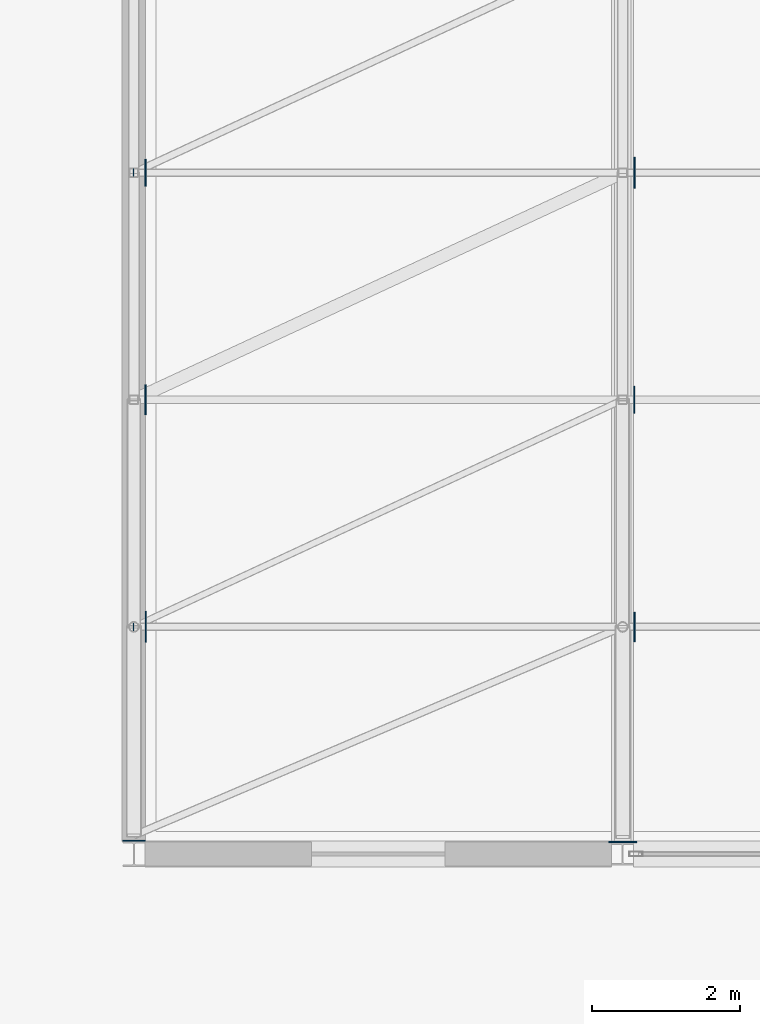
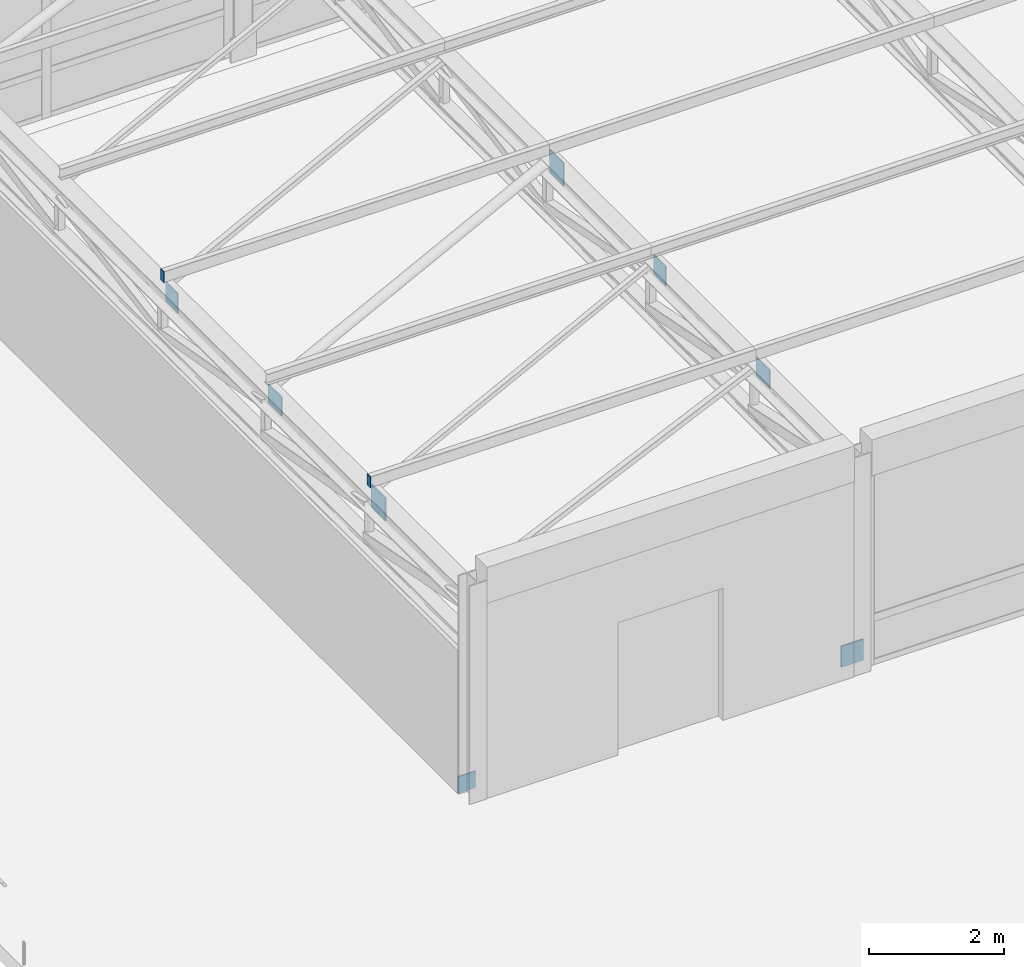
# One storey, part 54 of 92: 10 plates.
"""IFC4 building model written with IfcOpenShell, lengths in metres."""

from ifc_helpers import new_model, si_unit, direction, frame, origin, origin_2d, place, context, subcontext, project, spatial, rectangle, extrude, material, layer, layer_set, type_object, element, save


model = new_model("IFC4")

# Units and contexts
model_context = context("Model", 3, precision=1e-05, world=origin(), true_north=direction((0.0, 1.0)))
body_context = subcontext(model_context, "Body", "Model", "MODEL_VIEW")
ifc_project = project(units=[si_unit("LENGTHUNIT", "METRE"), si_unit("AREAUNIT", "SQUARE_METRE"), si_unit("VOLUMEUNIT", "CUBIC_METRE"), si_unit("PLANEANGLEUNIT", "RADIAN"), si_unit("MASSUNIT", "GRAM", prefix="KILO")], contexts=[model_context])

# Site, building, storey
site_placement = place(None, origin())
site = spatial("IfcSite", under=ifc_project, at=site_placement, CompositionType="ELEMENT")
building_placement = place(site_placement, origin())
building = spatial("IfcBuilding", under=site, at=building_placement, Name="Kernevlak Ridge Housing Community", CompositionType="ELEMENT")
storey_placement = place(building_placement, frame((0.0, 0.0, 4.199951171875)))
storey = spatial("IfcBuildingStorey", under=building, at=storey_placement, Name="L01", CompositionType="ELEMENT", Elevation=4.199951171875)

# Plates
ifc_material = material(Name="Steel S355", Category="steel")
ifc_layer_1 = layer(ifc_material, 0.010009765625, Name="Steel S355")
ifc_layer_set_1 = layer_set([ifc_layer_1], Name="Steel S355")
plate_type_1 = type_object("IfcPlateType", Name="EP-01", PredefinedType="USERDEFINED", material=ifc_layer_set_1)
for number, where, z_axis, x_axis, name in (
    (1, (64.195068359375, 52.86669921875, 3.76025390625), (0.0, 0.0, 1.0), (1.0, 0.0, 0.0), "Community Hall purlin end cap plate 1.2"),
    (2, (64.195068359375, 59.0, 3.76025390625), (0.0, 0.0, 1.0), (1.0, 0.0, 0.0), "Community Hall purlin end cap plate 1.4"),
):
    element("IfcPlate", number, at=place(storey_placement, frame(where, z_axis=z_axis, x_axis=x_axis)), inside=storey, type_object=plate_type_1, Name=name, ObjectType="STIFFENER_PLATE", PredefinedType="USERDEFINED", context=body_context, shape_type="SweptSolid", body=[
        extrude(rectangle(XDim=0.010009765625, YDim=0.10009765625, at=origin_2d()), origin(), (0.0, 0.0, 1.0), 0.199951171875),
    ])
ifc_layer_2 = layer(ifc_material, 0.01611328125, Name="Steel S355")
ifc_layer_set_2 = layer_set([ifc_layer_2], Name="Steel S355")
plate_type_2 = type_object("IfcPlateType", Name="GP-01", PredefinedType="USERDEFINED", material=ifc_layer_set_2)
for number, where, z_axis, x_axis, name in (
    (3, (64.35791015625, 59.0, 3.22998046875), (0.0, 0.0, 1.0), (1.0, 0.0, 0.0), "Roof truss 1 node gusset plate 3"),
    (4, (70.9580078125, 55.933349609375, 3.27001953125), (0.0, 0.0, 1.0), (1.0, 0.0, 0.0), "Roof truss 2 node gusset plate 2"),
):
    element("IfcPlate", number, at=place(storey_placement, frame(where, z_axis=z_axis, x_axis=x_axis)), inside=storey, type_object=plate_type_2, Name=name, ObjectType="GUSSET_PLATE", PredefinedType="USERDEFINED", context=body_context, shape_type="SweptSolid", body=[
        extrude(rectangle(XDim=0.01611328125, YDim=0.360107421875, at=origin_2d()), origin(), (0.0, 0.0, 1.0), 0.360107421875),
    ])
ifc_layer_3 = layer(ifc_material, 0.02001953125, Name="Steel S355")
ifc_layer_set_3 = layer_set([ifc_layer_3], Name="Steel S355")
plate_type_3 = type_object("IfcPlateType", Name="GP-02", PredefinedType="USERDEFINED", material=ifc_layer_set_3)
for number, where, z_axis, x_axis, name in (
    (5, (64.360107421875, 52.86669921875, 3.2001953125), (0.0, 0.0, 1.0), (1.0, 0.0, 0.0), "Roof truss 1 node gusset plate 1"),
    (6, (70.9599609375, 59.0, 3.239990234375), (0.0, 0.0, 1.0), (1.0, 0.0, 0.0), "Roof truss 2 node gusset plate 3"),
):
    element("IfcPlate", number, at=place(storey_placement, frame(where, z_axis=z_axis, x_axis=x_axis)), inside=storey, type_object=plate_type_3, Name=name, ObjectType="GUSSET_PLATE", PredefinedType="USERDEFINED", context=body_context, shape_type="SweptSolid", body=[
        extrude(rectangle(XDim=0.02001953125, YDim=0.419921875, at=origin_2d()), origin(), (0.0, 0.0, 1.0), 0.419921875),
    ])
ifc_layer_4 = layer(ifc_material, 0.01806640625, Name="Steel S355")
ifc_layer_set_4 = layer_set([ifc_layer_4], Name="Steel S355")
plate_type_4 = type_object("IfcPlateType", Name="GP-03", PredefinedType="USERDEFINED", material=ifc_layer_set_4)
for number, where, z_axis, x_axis, name in (
    (7, (64.35888671875, 55.933349609375, 3.240234375), (0.0, 0.0, 1.0), (1.0, 0.0, 0.0), "Roof truss 1 node gusset plate 2"),
    (8, (70.958984375, 52.86669921875, 3.27978515625), (0.0, 0.0, 1.0), (1.0, 0.0, 0.0), "Roof truss 2 node gusset plate 1"),
):
    element("IfcPlate", number, at=place(storey_placement, frame(where, z_axis=z_axis, x_axis=x_axis)), inside=storey, type_object=plate_type_4, Name=name, ObjectType="GUSSET_PLATE", PredefinedType="USERDEFINED", context=body_context, shape_type="SweptSolid", body=[
        extrude(rectangle(XDim=0.01806640625, YDim=0.39990234375, at=origin_2d()), origin(), (0.0, 0.0, 1.0), 0.340087890625),
    ])
ifc_layer_5 = layer(ifc_material, 0.01806640625, Name="Steel S355")
ifc_layer_set_5 = layer_set([ifc_layer_5], Name="Steel S355")
plate_type_5 = type_object("IfcPlateType", Name="GP-04", PredefinedType="USERDEFINED", material=ifc_layer_set_5)
plate_1_placement = place(storey_placement, frame((64.199951171875, 49.97900390625, 0.0), z_axis=(0.0, 0.0, 1.0), x_axis=(1.0, 0.0, 0.0)))
element("IfcPlate", 9, at=plate_1_placement, inside=storey, type_object=plate_type_5, Name="Truss column bearing stiffener plate 1.1", ObjectType="STIFFENER_PLATE", PredefinedType="USERDEFINED", context=body_context, shape_type="SweptSolid", body=[
    extrude(rectangle(XDim=0.300048828125, YDim=0.01806640625, at=origin_2d()), origin(), (0.0, 0.0, 1.0), 0.300048828125),
])
ifc_layer_6 = layer(ifc_material, 0.02197265625, Name="Steel S355")
ifc_layer_set_6 = layer_set([ifc_layer_6], Name="Steel S355")
plate_type_6 = type_object("IfcPlateType", Name="GP-05", PredefinedType="USERDEFINED", material=ifc_layer_set_6)
plate_2_placement = place(storey_placement, frame((70.800048828125, 49.9609375, 0.0), z_axis=(0.0, 0.0, 1.0), x_axis=(1.0, 0.0, 0.0)))
element("IfcPlate", 10, at=plate_2_placement, inside=storey, type_object=plate_type_6, Name="Truss column bearing stiffener plate 2.1", ObjectType="STIFFENER_PLATE", PredefinedType="USERDEFINED", context=body_context, shape_type="SweptSolid", body=[
    extrude(rectangle(XDim=0.3798828125, YDim=0.02197265625, at=origin_2d()), origin(), (0.0, 0.0, 1.0), 0.3798828125),
])

save(model, "model.ifc")
